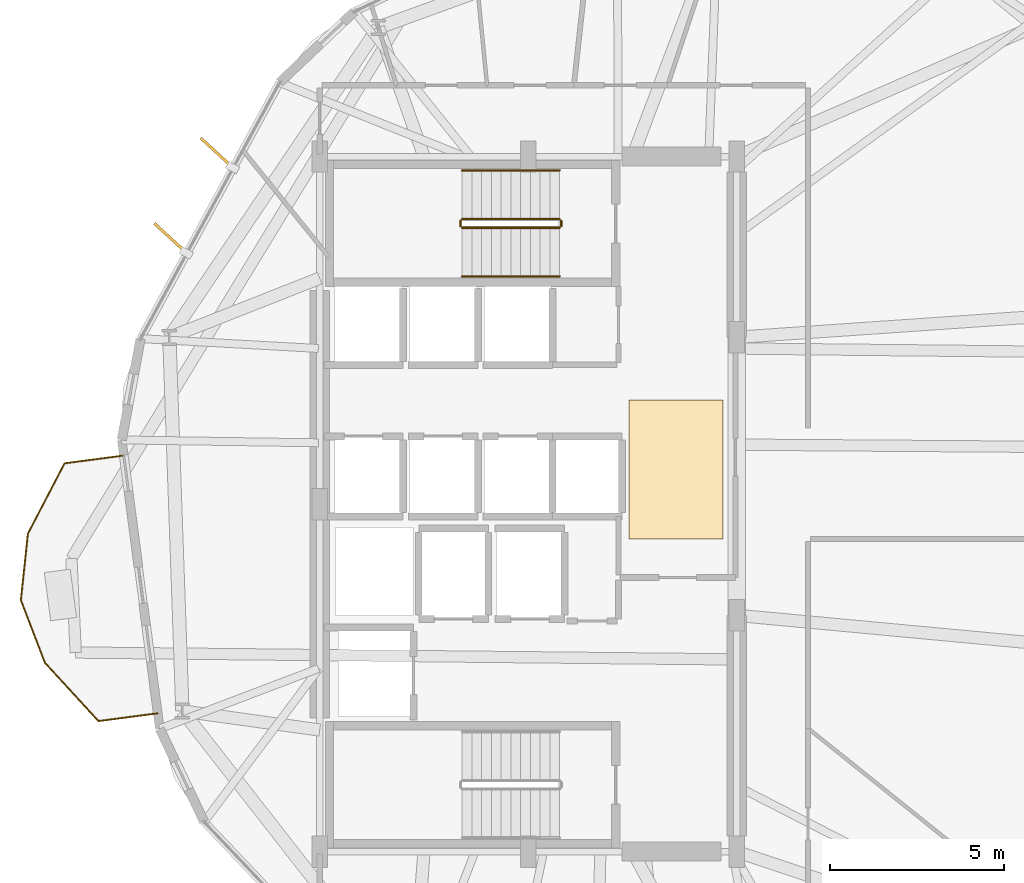
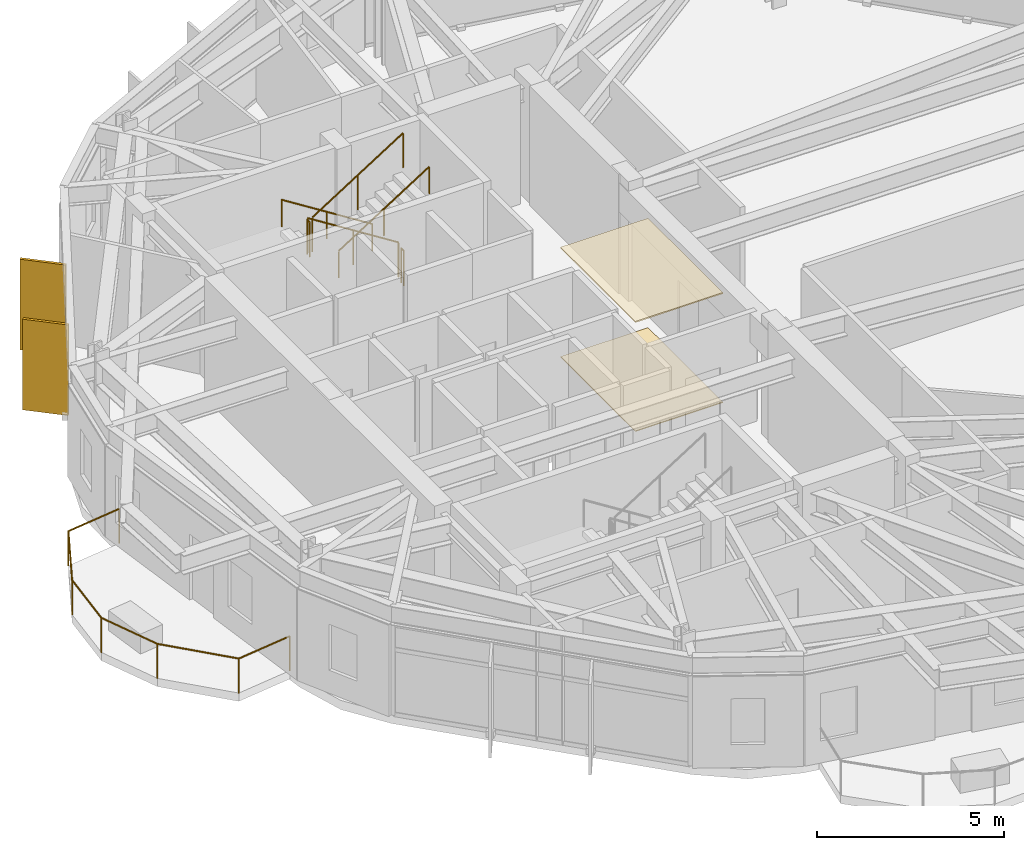
# One storey, part 24 of 25: 7 railings, 2 coverings, 2 shading devices.
"""IFC4 building model written with IfcOpenShell, lengths in metres."""

from ifc_helpers import new_model, si_unit, direction, frame, origin, origin_2d, place, context, subcontext, project, spatial, polyline, rectangle, circle, outline, extrude, material, layer, layer_set, type_object, element, save


model = new_model("IFC4")

# Units and contexts
model_context = context("Model", 3, precision=1e-05, world=origin(), true_north=direction((0.0, 1.0)))
body_context = subcontext(model_context, "Body", "Model", "MODEL_VIEW")
ifc_project = project(units=[si_unit("LENGTHUNIT", "METRE"), si_unit("AREAUNIT", "SQUARE_METRE"), si_unit("VOLUMEUNIT", "CUBIC_METRE"), si_unit("PLANEANGLEUNIT", "RADIAN"), si_unit("MASSUNIT", "GRAM", prefix="KILO")], contexts=[model_context])

# Site, building, storey
site_placement = place(None, origin())
site = spatial("IfcSite", under=ifc_project, at=site_placement, CompositionType="ELEMENT")
building_placement = place(site_placement, origin())
building = spatial("IfcBuilding", under=site, at=building_placement, Name="Soratama Intermodal Tower", CompositionType="ELEMENT")
storey_placement = place(building_placement, frame((0.0, 0.0, 126.39990234375)))
storey = spatial("IfcBuildingStorey", under=building, at=storey_placement, Name="L30", CompositionType="ELEMENT", Elevation=126.39990234375)

# Coverings
ifc_material_1 = material(Name="Perforated mineral acoustic ceiling", Category="concrete")
ifc_layer_1 = layer(ifc_material_1, 0.0400390625)
ifc_layer_set_1 = layer_set([ifc_layer_1], Name="Perforated mineral acoustic ceiling")
covering_type_1 = type_object("IfcCoveringType", Name="CV-CEIL-ACOUSTIC", PredefinedType="CEILING", material=ifc_layer_set_1)
covering_1_placement = place(storey_placement, frame((0.0, 0.0, 3.56005859375)))
element("IfcCovering", 1, at=covering_1_placement, inside=storey, type_object=covering_type_1, Name="L30 Acoustic Ceiling", PredefinedType="CEILING", context=body_context, shape_type="SweptSolid", body=[
    extrude(outline(polyline([(41.5, 24.0), (44.199951171875, 24.0), (44.199951171875, 28.0), (41.5, 28.0), (41.5, 24.0)])), origin(), (0.0, 0.0, 1.0), 0.0400390625),
])
ifc_material_2 = material(Name="Polished Andean stone terrazzo flooring", Category="masonry")
ifc_layer_2 = layer(ifc_material_2, 0.030029296875)
ifc_layer_set_2 = layer_set([ifc_layer_2], Name="Polished Andean stone terrazzo flooring")
covering_type_2 = type_object("IfcCoveringType", Name="CV-FLOR-TERRAZZO", PredefinedType="FLOORING", material=ifc_layer_set_2)
covering_2_placement = place(storey_placement, origin())
element("IfcCovering", 2, at=covering_2_placement, inside=storey, type_object=covering_type_2, Name="L30 Lobby Terrazzo Flooring", PredefinedType="FLOORING", context=body_context, shape_type="SweptSolid", body=[
    extrude(outline(polyline([(41.5, 24.0), (44.199951171875, 24.0), (44.199951171875, 28.0), (41.5, 28.0), (41.5, 24.0)])), origin(), (0.0, 0.0, 1.0), 0.030029296875),
])

# Railings
ifc_material_3 = material(Name="Laminated glass and stainless steel balustrade", Category="steel")
railing_type_1 = type_object("IfcRailingType", Name="RL-BAL-1150", PredefinedType="BALUSTRADE", material=ifc_material_3)
railing_1_placement = place(storey_placement, frame((27.93896484375, 18.979736328125, 0.0)))
element("IfcRailing", 3, at=railing_1_placement, inside=storey, type_object=railing_type_1, Name="L30 Balcony Balustrade 2", PredefinedType="BALUSTRADE", context=body_context, shape_type="SweptSolid", body=[
    extrude(circle(Radius=0.02392578125, at=origin_2d()), frame((0.0, 0.0, 1.1259765625), z_axis=(-0.991455744842, -0.130443497424, 0.0), x_axis=(0.130443497424, -0.991455744842, 0.0)), (0.0, 0.0, 1.0), 1.719970703125),
    extrude(circle(Radius=0.02392578125, at=origin_2d()), frame((-1.705322265625, -0.224365234375, 1.1259765625), z_axis=(-0.675826246465, 0.737060977525, 0.0), x_axis=(-0.737060977525, -0.675826246465, 0.0)), (0.0, 0.0, 1.0), 2.284423828125),
    extrude(circle(Radius=0.02392578125, at=origin_2d()), frame((-3.249267578125, 1.45947265625, 1.1259765625), z_axis=(-0.358358249246, 0.933584150036, 0.0), x_axis=(-0.933584150036, -0.358358249246, 0.0)), (0.0, 0.0, 1.0), 1.923828125),
    extrude(circle(Radius=0.02392578125, at=origin_2d()), frame((-3.938720703125, 3.255615234375, 1.1259765625), z_axis=(0.104552684844, 0.99451934928, 0.0), x_axis=(-0.99451934928, 0.104552684844, 0.0)), (0.0, 0.0, 1.0), 1.924072265625),
    extrude(circle(Radius=0.02392578125, at=origin_2d()), frame((-3.737548828125, 5.169189453125, 1.1259765625), z_axis=(0.462028996278, 0.886864818672, 0.0), x_axis=(-0.886864818672, 0.462028996278, 0.0)), (0.0, 0.0, 1.0), 2.284423828125),
    extrude(circle(Radius=0.02392578125, at=origin_2d()), frame((-2.68212890625, 7.195068359375, 1.1259765625), z_axis=(0.991437378323, 0.130583019049, 0.0), x_axis=(-0.130583019049, 0.991437378323, 0.0)), (0.0, 0.0, 1.0), 1.719970703125),
    extrude(circle(Radius=0.02099609375, at=origin_2d()), origin(), (0.0, 0.0, 1.0), 1.101806640625),
    extrude(circle(Radius=0.02099609375, at=origin_2d()), frame((-1.705322265625, -0.224365234375, 0.0)), (0.0, 0.0, 1.0), 1.101806640625),
    extrude(circle(Radius=0.02099609375, at=origin_2d()), frame((-3.249267578125, 1.45947265625, 0.0)), (0.0, 0.0, 1.0), 1.101806640625),
    extrude(circle(Radius=0.02099609375, at=origin_2d()), frame((-3.938720703125, 3.255615234375, 0.0)), (0.0, 0.0, 1.0), 1.101806640625),
    extrude(circle(Radius=0.02099609375, at=origin_2d()), frame((-3.737548828125, 5.169189453125, 0.0)), (0.0, 0.0, 1.0), 1.101806640625),
    extrude(circle(Radius=0.02099609375, at=origin_2d()), frame((-2.68212890625, 7.195068359375, 0.0)), (0.0, 0.0, 1.0), 1.101806640625),
    extrude(circle(Radius=0.02099609375, at=origin_2d()), frame((-0.976806640625, 7.419677734375, 0.0)), (0.0, 0.0, 1.0), 1.101806640625),
])
ifc_material_4 = material(Name="Painted steel stair guardrail", Category="steel")
railing_type_2 = type_object("IfcRailingType", Name="RL-STAIR-GUARD", PredefinedType="GUARDRAIL", material=ifc_material_4)
railing_2_placement = place(storey_placement, frame((39.5, 33.199951171875, 0.177490234375)))
element("IfcRailing", 4, at=railing_2_placement, inside=storey, type_object=railing_type_2, Name="L30 ST-2 stair guard 1", PredefinedType="GUARDRAIL", context=body_context, shape_type="SweptSolid", body=[
    extrude(circle(Radius=0.02392578125, at=origin_2d()), frame((0.0, 0.0, 1.1259765625), z_axis=(-0.844908973607, 0.0, 0.534910110503), x_axis=(0.0, -1.0, 0.0)), (0.0, 0.0, 1.0), 3.31396484375),
    extrude(circle(Radius=0.02099609375, at=origin_2d()), origin(), (0.0, 0.0, 1.0), 1.101806640625),
    extrude(circle(Radius=0.02099609375, at=origin_2d()), frame((-1.39990234375, 0.0, 0.88623046875)), (0.0, 0.0, 1.0), 1.101806640625),
    extrude(circle(Radius=0.02099609375, at=origin_2d()), frame((-2.800048828125, 0.0, 1.772705078125)), (0.0, 0.0, 1.0), 1.101806640625),
])
railing_3_placement = place(storey_placement, frame((36.64990234375, 33.14990234375, 1.9501953125)))
element("IfcRailing", 5, at=railing_3_placement, inside=storey, type_object=railing_type_2, Name="L30 ST-2 stair guard 2", PredefinedType="GUARDRAIL", context=body_context, shape_type="SweptSolid", body=[
    extrude(circle(Radius=0.02392578125, at=origin_2d()), frame((0.0, 0.0, 1.1259765625), z_axis=(0.0, -1.0, 0.0), x_axis=(1.0, 0.0, 0.0)), (0.0, 0.0, 1.0), 0.14990234375),
    extrude(circle(Radius=0.02099609375, at=origin_2d()), origin(), (0.0, 0.0, 1.0), 1.101806640625),
    extrude(circle(Radius=0.02099609375, at=origin_2d()), frame((0.0, -0.14990234375, 0.0)), (0.0, 0.0, 1.0), 1.101806640625),
])
railing_4_placement = place(storey_placement, frame((36.699951171875, 32.949951171875, 2.12744140625)))
element("IfcRailing", 6, at=railing_4_placement, inside=storey, type_object=railing_type_2, Name="L30 ST-2 stair guard 3", PredefinedType="GUARDRAIL", context=body_context, shape_type="SweptSolid", body=[
    extrude(circle(Radius=0.02392578125, at=origin_2d()), frame((0.0, 0.0, 1.1259765625), z_axis=(0.844908973607, 0.0, 0.534910110503), x_axis=(0.0, 1.0, 0.0)), (0.0, 0.0, 1.0), 3.31396484375),
    extrude(circle(Radius=0.02099609375, at=origin_2d()), origin(), (0.0, 0.0, 1.0), 1.101806640625),
    extrude(circle(Radius=0.02099609375, at=origin_2d()), frame((1.39990234375, 0.0, 0.88623046875)), (0.0, 0.0, 1.0), 1.101806640625),
    extrude(circle(Radius=0.02099609375, at=origin_2d()), frame((2.800048828125, 0.0, 1.772705078125)), (0.0, 0.0, 1.0), 1.101806640625),
])
railing_5_placement = place(storey_placement, frame((39.550048828125, 33.14990234375, 0.0)))
element("IfcRailing", 7, at=railing_5_placement, inside=storey, type_object=railing_type_2, Name="L30 ST-2 stair guard 4", PredefinedType="GUARDRAIL", context=body_context, shape_type="SweptSolid", body=[
    extrude(circle(Radius=0.02392578125, at=origin_2d()), frame((0.0, 0.0, 1.1259765625), z_axis=(0.0, -1.0, 0.0), x_axis=(1.0, 0.0, 0.0)), (0.0, 0.0, 1.0), 0.14990234375),
    extrude(circle(Radius=0.02099609375, at=origin_2d()), origin(), (0.0, 0.0, 1.0), 1.101806640625),
    extrude(circle(Radius=0.02099609375, at=origin_2d()), frame((0.0, -0.14990234375, 0.0)), (0.0, 0.0, 1.0), 1.101806640625),
])
ifc_material_5 = material(Name="Brushed stainless steel handrail", Category="steel")
railing_type_3 = type_object("IfcRailingType", Name="RL-STAIR-HAND", PredefinedType="HANDRAIL", material=ifc_material_5)
railing_6_placement = place(storey_placement, frame((39.5, 34.60009765625, 0.177490234375)))
element("IfcRailing", 8, at=railing_6_placement, inside=storey, type_object=railing_type_3, Name="L30 ST-2 stair handrail 1", PredefinedType="HANDRAIL", context=body_context, shape_type="SweptSolid", body=[
    extrude(circle(Radius=0.02392578125, at=origin_2d()), frame((0.0, 0.0, 0.8759765625), z_axis=(-0.844908973607, 0.0, 0.534910110503), x_axis=(0.0, -1.0, 0.0)), (0.0, 0.0, 1.0), 3.31396484375),
    extrude(circle(Radius=0.02099609375, at=origin_2d()), origin(), (0.0, 0.0, 1.0), 0.851806640625),
    extrude(circle(Radius=0.02099609375, at=origin_2d()), frame((-1.39990234375, 0.0, 0.88623046875)), (0.0, 0.0, 1.0), 0.851806640625),
    extrude(circle(Radius=0.02099609375, at=origin_2d()), frame((-2.800048828125, 0.0, 1.772705078125)), (0.0, 0.0, 1.0), 0.851806640625),
])
railing_7_placement = place(storey_placement, frame((36.699951171875, 31.550048828125, 2.12744140625)))
element("IfcRailing", 9, at=railing_7_placement, inside=storey, type_object=railing_type_3, Name="L30 ST-2 stair handrail 2", PredefinedType="HANDRAIL", context=body_context, shape_type="SweptSolid", body=[
    extrude(circle(Radius=0.02392578125, at=origin_2d()), frame((0.0, 0.0, 0.8759765625), z_axis=(0.844908973607, 0.0, 0.534910110503), x_axis=(0.0, 1.0, 0.0)), (0.0, 0.0, 1.0), 3.31396484375),
    extrude(circle(Radius=0.02099609375, at=origin_2d()), origin(), (0.0, 0.0, 1.0), 0.851806640625),
    extrude(circle(Radius=0.02099609375, at=origin_2d()), frame((1.39990234375, 0.0, 0.88623046875)), (0.0, 0.0, 1.0), 0.851806640625),
    extrude(circle(Radius=0.02099609375, at=origin_2d()), frame((2.800048828125, 0.0, 1.772705078125)), (0.0, 0.0, 1.0), 0.851806640625),
])

# Shading devices
ifc_material_6 = material(Name="Champagne anodised aluminium solar fin", Category="aluminium")
ifc_layer_3 = layer(ifc_material_6, 0.080078125)
ifc_layer_set_3 = layer_set([ifc_layer_3], Name="Champagne anodised aluminium solar fin")
shading_device_type = type_object("IfcShadingDeviceType", Name="SH-FIN-1250", PredefinedType="USERDEFINED", material=ifc_layer_set_3)
for number, where, z_axis, x_axis, name in (
    (10, (29.63623046875, 35.110595703125, 0.02001953125), (0.0, 0.0, 1.0), (-0.735978938766, 0.67700443255, 0.0), "L30 Solar Fin F04-1"),
    (11, (28.302734375, 32.65478515625, 0.02001953125), (0.0, 0.0, 1.0), (-0.735978938766, 0.67700443255, 0.0), "L30 Solar Fin F04-2"),
):
    element("IfcShadingDevice", number, at=place(storey_placement, frame(where, z_axis=z_axis, x_axis=x_axis)), inside=storey, type_object=shading_device_type, Name=name, ObjectType="FIN", PredefinedType="USERDEFINED", context=body_context, shape_type="SweptSolid", body=[
        extrude(rectangle(XDim=1.25, YDim=0.080078125, at=origin_2d()), origin(), (0.0, 0.0, 1.0), 2.958984375),
    ])

save(model, "model.ifc")
